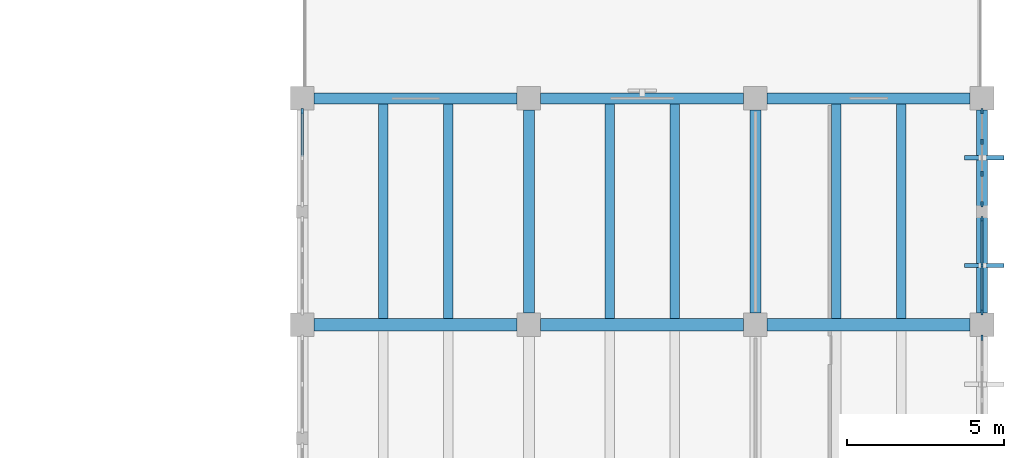
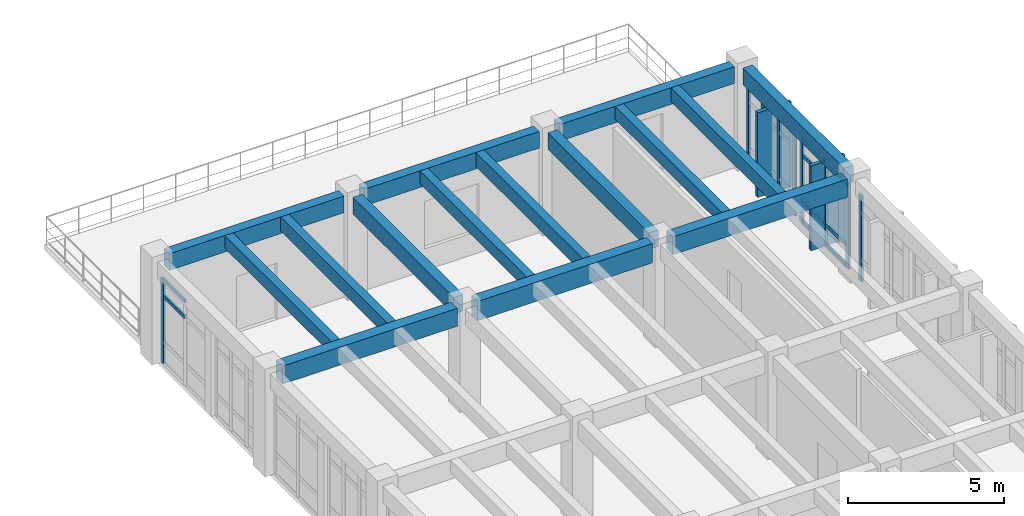
# One storey, part 64 of 136: 21 members, 15 beams, 4 elements without a shape of their own.
"""IFC4 building model written with IfcOpenShell, lengths in metres."""

from ifc_helpers import new_model, si_unit, direction, frame, origin, origin_2d, place, context, subcontext, project, spatial, rectangle, extrude, material, layer, layer_set, material_profile, profile_set, type_object, element, aggregate, save


model = new_model("IFC4")

# Units and contexts
model_context = context("Model", 3, precision=1e-05, world=origin(), true_north=direction((0.0, 1.0)))
body_context = subcontext(model_context, "Body", "Model", "MODEL_VIEW")
ifc_project = project(units=[si_unit("LENGTHUNIT", "METRE"), si_unit("AREAUNIT", "SQUARE_METRE"), si_unit("VOLUMEUNIT", "CUBIC_METRE"), si_unit("PLANEANGLEUNIT", "RADIAN"), si_unit("MASSUNIT", "GRAM", prefix="KILO")], contexts=[model_context])

# Site, building, storey
site_placement = place(None, origin())
site = spatial("IfcSite", under=ifc_project, at=site_placement, CompositionType="ELEMENT")
building_placement = place(site_placement, origin())
building = spatial("IfcBuilding", under=site, at=building_placement, Name="Koriwan Promenade Central Fire Station", CompositionType="ELEMENT")
storey_placement = place(building_placement, frame((0.0, 0.0, 5.39990234375)))
storey = spatial("IfcBuildingStorey", under=building, at=storey_placement, Name="L01", CompositionType="ELEMENT", Elevation=5.39990234375)

# Beams
ifc_material_1 = material(Name="Concrete C35/45", Category="concrete")
ifc_material_profile_1 = material_profile(ifc_material_1, rectangle(XDim=0.300048828125, YDim=0.5, at=origin_2d()), Name="RC-BM-300x500")
ifc_profile_set_1 = profile_set([ifc_material_profile_1], Name="Concrete C35/45")
beam_type_1 = type_object("IfcBeamType", Name="Beam_RC-BM-300x500", PredefinedType="JOIST", material=ifc_profile_set_1)
for number, where, z_axis, x_axis, name in (
    (1, (153.76806640625, 65.0, 3.710205078125), (0.0, 1.0, 0.0), (-1.0, 0.0, 0.0), "V5 L01 secondary joist 749"),
    (2, (160.968017578125, 65.0, 3.710205078125), (0.0, 1.0, 0.0), (-1.0, 0.0, 0.0), "V5 L01 secondary joist 751"),
    (3, (168.16796875, 65.0, 3.710205078125), (0.0, 1.0, 0.0), (-1.0, 0.0, 0.0), "V5 L01 secondary joist 753"),
):
    element("IfcBeam", number, at=place(storey_placement, frame(where, z_axis=z_axis, x_axis=x_axis)), inside=storey, type_object=beam_type_1, Name=name, PredefinedType="JOIST", context=body_context, shape_type="SweptSolid", body=[
        extrude(rectangle(XDim=0.300048828125, YDim=0.5, at=origin_2d()), origin(), (0.0, 0.0, 1.0), 6.824951171875),
    ])
ifc_material_profile_2 = material_profile(ifc_material_1, rectangle(XDim=0.300048828125, YDim=0.550048828125, at=origin_2d()), Name="RC-BM-300x550")
ifc_profile_set_2 = profile_set([ifc_material_profile_2], Name="Concrete C35/45")
beam_type_2 = type_object("IfcBeamType", Name="Beam_RC-BM-300x550", PredefinedType="JOIST", material=ifc_profile_set_2)
for number, where, z_axis, x_axis, name in (
    (4, (155.83203125, 65.0, 3.68505859375), (0.0, 1.0, 0.0), (-1.0, 0.0, 0.0), "V5 L01 secondary joist 750"),
    (5, (163.031982421875, 65.0, 3.68505859375), (0.0, 1.0, 0.0), (-1.0, 0.0, 0.0), "V5 L01 secondary joist 752"),
    (6, (170.23193359375, 65.0, 3.68505859375), (0.0, 1.0, 0.0), (-1.0, 0.0, 0.0), "V5 L01 secondary joist 754"),
):
    element("IfcBeam", number, at=place(storey_placement, frame(where, z_axis=z_axis, x_axis=x_axis)), inside=storey, type_object=beam_type_2, Name=name, PredefinedType="JOIST", context=body_context, shape_type="SweptSolid", body=[
        extrude(rectangle(XDim=0.300048828125, YDim=0.550048828125, at=origin_2d()), origin(), (0.0, 0.0, 1.0), 6.824951171875),
    ])
ifc_material_profile_3 = material_profile(ifc_material_1, rectangle(XDim=0.35009765625, YDim=0.64990234375, at=origin_2d()), Name="RC-BM-350x650")
ifc_profile_set_3 = profile_set([ifc_material_profile_3], Name="Concrete C35/45")
beam_type_3 = type_object("IfcBeamType", Name="Beam_RC-BM-350x650", PredefinedType="BEAM", material=ifc_profile_set_3)
for number, where, z_axis, x_axis, name in (
    (7, (158.39990234375, 65.175048828125, 3.635009765625), (0.0, 1.0, 0.0), (-1.0, 0.0, 0.0), "V5 L01 girder Y-679"),
    (8, (165.60009765625, 65.175048828125, 3.635009765625), (0.0, 1.0, 0.0), (-1.0, 0.0, 0.0), "V5 L01 girder Y-689"),
    (9, (172.800048828125, 65.175048828125, 3.635009765625), (0.0, 1.0, 0.0), (-1.0, 0.0, 0.0), "V5 L01 girder Y-699"),
):
    element("IfcBeam", number, at=place(storey_placement, frame(where, z_axis=z_axis, x_axis=x_axis)), inside=storey, type_object=beam_type_3, Name=name, PredefinedType="BEAM", context=body_context, shape_type="SweptSolid", body=[
        extrude(rectangle(XDim=0.35009765625, YDim=0.64990234375, at=origin_2d()), origin(), (0.0, 0.0, 1.0), 6.449951171875),
    ])
ifc_material_profile_4 = material_profile(ifc_material_1, rectangle(XDim=0.39990234375, YDim=0.699951171875, at=origin_2d()), Name="RC-BM-400x700")
ifc_profile_set_4 = profile_set([ifc_material_profile_4], Name="Concrete C35/45")
beam_type_4 = type_object("IfcBeamType", Name="Beam_RC-BM-400x700", PredefinedType="BEAM", material=ifc_profile_set_4)
for number, where, z_axis, x_axis, name in (
    (10, (151.574951171875, 64.800048828125, 3.610107421875), (1.0, 0.0, 0.0), (0.0, 1.0, 0.0), "V5 L01 girder X-652"),
    (11, (165.97509765625, 64.800048828125, 3.610107421875), (1.0, 0.0, 0.0), (0.0, 1.0, 0.0), "V5 L01 girder X-654"),
):
    element("IfcBeam", number, at=place(storey_placement, frame(where, z_axis=z_axis, x_axis=x_axis)), inside=storey, type_object=beam_type_4, Name=name, PredefinedType="BEAM", context=body_context, shape_type="SweptSolid", body=[
        extrude(rectangle(XDim=0.39990234375, YDim=0.699951171875, at=origin_2d()), origin(), (0.0, 0.0, 1.0), 6.449951171875),
    ])
ifc_material_profile_5 = material_profile(ifc_material_1, rectangle(XDim=0.39990234375, YDim=0.75, at=origin_2d()), Name="RC-BM-400x750")
ifc_profile_set_5 = profile_set([ifc_material_profile_5], Name="Concrete C35/45")
beam_type_5 = type_object("IfcBeamType", Name="Beam_RC-BM-400x750", PredefinedType="BEAM", material=ifc_profile_set_5)
beam_1_placement = place(storey_placement, frame((158.77490234375, 64.800048828125, 3.585205078125), z_axis=(1.0, 0.0, 0.0), x_axis=(0.0, 1.0, 0.0)))
element("IfcBeam", 12, at=beam_1_placement, inside=storey, type_object=beam_type_5, Name="V5 L01 girder X-653", PredefinedType="BEAM", context=body_context, shape_type="SweptSolid", body=[
    extrude(rectangle(XDim=0.39990234375, YDim=0.75, at=origin_2d()), origin(), (0.0, 0.0, 1.0), 6.4501953125),
])
ifc_material_profile_6 = material_profile(ifc_material_1, rectangle(XDim=0.35009765625, YDim=0.64990234375, at=origin_2d()), Name="RC-SP-350x650")
ifc_profile_set_6 = profile_set([ifc_material_profile_6], Name="Concrete C35/45")
beam_type_6 = type_object("IfcBeamType", Name="Beam_RC-SP-350x650", PredefinedType="SPANDREL", material=ifc_profile_set_6)
beam_2_placement = place(storey_placement, frame((151.574951171875, 72.0, 3.635009765625), z_axis=(1.0, 0.0, 0.0), x_axis=(0.0, 1.0, 0.0)))
element("IfcBeam", 13, at=beam_2_placement, inside=storey, type_object=beam_type_6, Name="V5 L01 girder X-655", PredefinedType="SPANDREL", context=body_context, shape_type="SweptSolid", body=[
    extrude(rectangle(XDim=0.35009765625, YDim=0.64990234375, at=origin_2d()), origin(), (0.0, 0.0, 1.0), 6.449951171875),
])
beam_3_placement = place(storey_placement, frame((158.77490234375, 72.0, 3.635009765625), z_axis=(1.0, 0.0, 0.0), x_axis=(0.0, 1.0, 0.0)))
element("IfcBeam", 14, at=beam_3_placement, inside=storey, type_object=beam_type_6, Name="V5 L01 girder X-656", PredefinedType="SPANDREL", context=body_context, shape_type="SweptSolid", body=[
    extrude(rectangle(XDim=0.35009765625, YDim=0.64990234375, at=origin_2d()), origin(), (0.0, 0.0, 1.0), 6.4501953125),
])
beam_4_placement = place(storey_placement, frame((165.97509765625, 72.0, 3.635009765625), z_axis=(1.0, 0.0, 0.0), x_axis=(0.0, 1.0, 0.0)))
element("IfcBeam", 15, at=beam_4_placement, inside=storey, type_object=beam_type_6, Name="V5 L01 girder X-657", PredefinedType="SPANDREL", context=body_context, shape_type="SweptSolid", body=[
    extrude(rectangle(XDim=0.35009765625, YDim=0.64990234375, at=origin_2d()), origin(), (0.0, 0.0, 1.0), 6.449951171875),
])

# Curtain wall, member
ifc_material_2 = material(Name="Aluminium EN AW-6063-T6 and low-E glazing", Category="aluminium")
ifc_layer_1 = layer(ifc_material_2, 0.159912109375, Name="Aluminium EN AW-6063-T6 and low-E glazing")
ifc_layer_set_1 = layer_set([ifc_layer_1], Name="Aluminium EN AW-6063-T6 and low-E glazing")
curtain_wall_type_1 = type_object("IfcCurtainWallType", Name="CurtainWall_72_303x330", PredefinedType="USERDEFINED", material=ifc_layer_set_1)
curtain_wall_1_placement = place(storey_placement, origin())
curtain_wall_1 = element("IfcCurtainWall", 16, at=curtain_wall_1_placement, inside=storey, type_object=curtain_wall_type_1, Name="V5 L01 unitised curtain wall 188", ObjectType="UNITISED CURTAIN WALL", PredefinedType="USERDEFINED")
ifc_material_3 = material(Name="Aluminium EN AW-6063-T6", Category="aluminium")
ifc_material_profile_7 = material_profile(ifc_material_3, rectangle(XDim=0.074951171875, YDim=0.179931640625, at=origin_2d()), Name="ALU-MUL-75x180")
ifc_profile_set_7 = profile_set([ifc_material_profile_7], Name="Aluminium EN AW-6063-T6")
member_type_1 = type_object("IfcMemberType", Name="CWMullion_ALU-MUL-75x180", PredefinedType="MULLION", material=ifc_profile_set_7)
member_1_placement = place(storey_placement, frame((151.199951171875, 71.58740234375, 0.0), z_axis=(0.0, 0.0, 1.0), x_axis=(-1.0, 0.0, 0.0)))
member_1 = element("IfcMember", 17, at=member_1_placement, type_object=member_type_1, Name="CW-72 mullion 3", PredefinedType="MULLION", context=body_context, shape_type="SweptSolid", body=[
    extrude(rectangle(XDim=0.074951171875, YDim=0.179931640625, at=origin_2d()), origin(), (0.0, 0.0, 1.0), 3.300048828125),
])

# Curtain wall, members
ifc_layer_2 = layer(ifc_material_2, 0.159912109375, Name="Aluminium EN AW-6063-T6 and low-E glazing")
ifc_layer_set_2 = layer_set([ifc_layer_2], Name="Aluminium EN AW-6063-T6 and low-E glazing")
curtain_wall_type_2 = type_object("IfcCurtainWallType", Name="CurtainWall_71_303x330", PredefinedType="USERDEFINED", material=ifc_layer_set_2)
curtain_wall_2_placement = place(storey_placement, origin())
curtain_wall_2 = element("IfcCurtainWall", 18, at=curtain_wall_2_placement, inside=storey, type_object=curtain_wall_type_2, Name="V5 L01 unitised curtain wall 189", ObjectType="UNITISED CURTAIN WALL", PredefinedType="USERDEFINED")
member_2_placement = place(storey_placement, frame((172.800048828125, 71.58740234375, 0.0), z_axis=(0.0, 0.0, 1.0), x_axis=(1.0, 0.0, 0.0)))
member_2 = element("IfcMember", 19, at=member_2_placement, type_object=member_type_1, Name="CW-71 mullion 1", PredefinedType="MULLION", context=body_context, shape_type="SweptSolid", body=[
    extrude(rectangle(XDim=0.074951171875, YDim=0.179931640625, at=origin_2d()), origin(), (0.0, 0.0, 1.0), 3.300048828125),
])
member_3_placement = place(storey_placement, frame((172.800048828125, 70.61669921875, 0.0), z_axis=(0.0, 0.0, 1.0), x_axis=(1.0, 0.0, 0.0)))
member_3 = element("IfcMember", 20, at=member_3_placement, type_object=member_type_1, Name="CW-71 mullion 2", PredefinedType="MULLION", context=body_context, shape_type="SweptSolid", body=[
    extrude(rectangle(XDim=0.074951171875, YDim=0.179931640625, at=origin_2d()), origin(), (0.0, 0.0, 1.0), 3.300048828125),
])
member_4_placement = place(storey_placement, frame((172.800048828125, 69.6083984375, 0.0), z_axis=(0.0, 0.0, 1.0), x_axis=(1.0, 0.0, 0.0)))
member_4 = element("IfcMember", 21, at=member_4_placement, type_object=member_type_1, Name="CW-71 mullion 3", PredefinedType="MULLION", context=body_context, shape_type="SweptSolid", body=[
    extrude(rectangle(XDim=0.074951171875, YDim=0.179931640625, at=origin_2d()), origin(), (0.0, 0.0, 1.0), 3.300048828125),
])
member_5_placement = place(storey_placement, frame((172.800048828125, 68.637451171875, 0.0), z_axis=(0.0, 0.0, 1.0), x_axis=(1.0, 0.0, 0.0)))
member_5 = element("IfcMember", 22, at=member_5_placement, type_object=member_type_1, Name="CW-71 mullion 4", PredefinedType="MULLION", context=body_context, shape_type="SweptSolid", body=[
    extrude(rectangle(XDim=0.074951171875, YDim=0.179931640625, at=origin_2d()), origin(), (0.0, 0.0, 1.0), 3.300048828125),
])
aggregate(curtain_wall_2, [member_2, member_3, member_4, member_5])

curtain_wall_3_placement = place(storey_placement, origin())
curtain_wall_3 = element("IfcCurtainWall", 23, at=curtain_wall_3_placement, inside=storey, type_object=curtain_wall_type_1, Name="V5 L01 unitised curtain wall 190", ObjectType="UNITISED CURTAIN WALL", PredefinedType="USERDEFINED")
member_6_placement = place(storey_placement, frame((172.800048828125, 68.16259765625, 0.0), z_axis=(0.0, 0.0, 1.0), x_axis=(1.0, 0.0, 0.0)))
member_6 = element("IfcMember", 24, at=member_6_placement, type_object=member_type_1, Name="CW-72 mullion 1", PredefinedType="MULLION", context=body_context, shape_type="SweptSolid", body=[
    extrude(rectangle(XDim=0.074951171875, YDim=0.179931640625, at=origin_2d()), origin(), (0.0, 0.0, 1.0), 3.300048828125),
])
member_7_placement = place(storey_placement, frame((172.800048828125, 66.6875, 0.0), z_axis=(0.0, 0.0, 1.0), x_axis=(1.0, 0.0, 0.0)))
member_7 = element("IfcMember", 25, at=member_7_placement, type_object=member_type_1, Name="CW-72 mullion 2", PredefinedType="MULLION", context=body_context, shape_type="SweptSolid", body=[
    extrude(rectangle(XDim=0.074951171875, YDim=0.179931640625, at=origin_2d()), origin(), (0.0, 0.0, 1.0), 3.300048828125),
])
member_8_placement = place(storey_placement, frame((172.800048828125, 65.21240234375, 0.0), z_axis=(0.0, 0.0, 1.0), x_axis=(1.0, 0.0, 0.0)))
member_8 = element("IfcMember", 26, at=member_8_placement, type_object=member_type_1, Name="CW-72 mullion 3", PredefinedType="MULLION", context=body_context, shape_type="SweptSolid", body=[
    extrude(rectangle(XDim=0.074951171875, YDim=0.179931640625, at=origin_2d()), origin(), (0.0, 0.0, 1.0), 3.300048828125),
])

# Curtain wall, member
ifc_layer_3 = layer(ifc_material_2, 0.159912109375, Name="Aluminium EN AW-6063-T6 and low-E glazing")
ifc_layer_set_3 = layer_set([ifc_layer_3], Name="Aluminium EN AW-6063-T6 and low-E glazing")
curtain_wall_type_3 = type_object("IfcCurtainWallType", Name="CurtainWall_69_302x335", PredefinedType="USERDEFINED", material=ifc_layer_set_3)
curtain_wall_4_placement = place(storey_placement, origin())
curtain_wall_4 = element("IfcCurtainWall", 27, at=curtain_wall_4_placement, inside=storey, type_object=curtain_wall_type_3, Name="V5 L01 unitised curtain wall 191", ObjectType="UNITISED CURTAIN WALL", PredefinedType="USERDEFINED")
member_9_placement = place(storey_placement, frame((172.800048828125, 64.387451171875, 0.0), z_axis=(0.0, 0.0, 1.0), x_axis=(1.0, 0.0, 0.0)))
member_9 = element("IfcMember", 28, at=member_9_placement, type_object=member_type_1, Name="CW-69 mullion 1", PredefinedType="MULLION", context=body_context, shape_type="SweptSolid", body=[
    extrude(rectangle(XDim=0.074951171875, YDim=0.179931640625, at=origin_2d()), origin(), (0.0, 0.0, 1.0), 3.35009765625),
])
aggregate(curtain_wall_4, [member_9])

# Member
ifc_material_profile_8 = material_profile(ifc_material_3, rectangle(XDim=0.074951171875, YDim=0.139892578125, at=origin_2d()), Name="ALU-TRN-75x140")
ifc_profile_set_8 = profile_set([ifc_material_profile_8], Name="Aluminium EN AW-6063-T6")
member_type_2 = type_object("IfcMemberType", Name="CWTransom_ALU-TRN-75x140", PredefinedType="USERDEFINED", material=ifc_profile_set_8)
member_10_placement = place(storey_placement, frame((151.199951171875, 70.14990234375, 2.650146484375), z_axis=(0.0, 1.0, 0.0), x_axis=(-1.0, 0.0, 0.0)))
member_10 = element("IfcMember", 29, at=member_10_placement, type_object=member_type_2, Name="CW-72 transom 2.3", ObjectType="TRANSOM", PredefinedType="USERDEFINED", context=body_context, shape_type="SweptSolid", body=[
    extrude(rectangle(XDim=0.074951171875, YDim=0.139892578125, at=origin_2d()), origin(), (0.0, 0.0, 1.0), 1.400146484375),
])

member_11_placement = place(storey_placement, frame((151.199951171875, 70.14990234375, 3.2626953125), z_axis=(0.0, 1.0, 0.0), x_axis=(-1.0, 0.0, 0.0)))
member_11 = element("IfcMember", 30, at=member_11_placement, type_object=member_type_2, Name="CW-72 transom 2.4", ObjectType="TRANSOM", PredefinedType="USERDEFINED", context=body_context, shape_type="SweptSolid", body=[
    extrude(rectangle(XDim=0.074951171875, YDim=0.139892578125, at=origin_2d()), origin(), (0.0, 0.0, 1.0), 1.400146484375),
])

aggregate(curtain_wall_1, [member_1, member_10, member_11])

member_12_placement = place(storey_placement, frame((172.800048828125, 68.125, 0.03759765625), z_axis=(0.0, -1.0, 0.0), x_axis=(1.0, 0.0, 0.0)))
member_12 = element("IfcMember", 31, at=member_12_placement, type_object=member_type_2, Name="CW-72 transom 1.1", ObjectType="TRANSOM", PredefinedType="USERDEFINED", context=body_context, shape_type="SweptSolid", body=[
    extrude(rectangle(XDim=0.074951171875, YDim=0.139892578125, at=origin_2d()), origin(), (0.0, 0.0, 1.0), 1.39990234375),
])

member_13_placement = place(storey_placement, frame((172.800048828125, 68.125, 0.85009765625), z_axis=(0.0, -1.0, 0.0), x_axis=(1.0, 0.0, 0.0)))
member_13 = element("IfcMember", 32, at=member_13_placement, type_object=member_type_2, Name="CW-72 transom 1.2", ObjectType="TRANSOM", PredefinedType="USERDEFINED", context=body_context, shape_type="SweptSolid", body=[
    extrude(rectangle(XDim=0.074951171875, YDim=0.139892578125, at=origin_2d()), origin(), (0.0, 0.0, 1.0), 1.39990234375),
])

member_14_placement = place(storey_placement, frame((172.800048828125, 68.125, 2.650146484375), z_axis=(0.0, -1.0, 0.0), x_axis=(1.0, 0.0, 0.0)))
member_14 = element("IfcMember", 33, at=member_14_placement, type_object=member_type_2, Name="CW-72 transom 1.3", ObjectType="TRANSOM", PredefinedType="USERDEFINED", context=body_context, shape_type="SweptSolid", body=[
    extrude(rectangle(XDim=0.074951171875, YDim=0.139892578125, at=origin_2d()), origin(), (0.0, 0.0, 1.0), 1.39990234375),
])

member_15_placement = place(storey_placement, frame((172.800048828125, 68.125, 3.2626953125), z_axis=(0.0, -1.0, 0.0), x_axis=(1.0, 0.0, 0.0)))
member_15 = element("IfcMember", 34, at=member_15_placement, type_object=member_type_2, Name="CW-72 transom 1.4", ObjectType="TRANSOM", PredefinedType="USERDEFINED", context=body_context, shape_type="SweptSolid", body=[
    extrude(rectangle(XDim=0.074951171875, YDim=0.139892578125, at=origin_2d()), origin(), (0.0, 0.0, 1.0), 1.39990234375),
])

member_16_placement = place(storey_placement, frame((172.800048828125, 66.64990234375, 0.03759765625), z_axis=(0.0, -1.0, 0.0), x_axis=(1.0, 0.0, 0.0)))
member_16 = element("IfcMember", 35, at=member_16_placement, type_object=member_type_2, Name="CW-72 transom 2.1", ObjectType="TRANSOM", PredefinedType="USERDEFINED", context=body_context, shape_type="SweptSolid", body=[
    extrude(rectangle(XDim=0.074951171875, YDim=0.139892578125, at=origin_2d()), origin(), (0.0, 0.0, 1.0), 1.39990234375),
])

member_17_placement = place(storey_placement, frame((172.800048828125, 66.64990234375, 0.85009765625), z_axis=(0.0, -1.0, 0.0), x_axis=(1.0, 0.0, 0.0)))
member_17 = element("IfcMember", 36, at=member_17_placement, type_object=member_type_2, Name="CW-72 transom 2.2", ObjectType="TRANSOM", PredefinedType="USERDEFINED", context=body_context, shape_type="SweptSolid", body=[
    extrude(rectangle(XDim=0.074951171875, YDim=0.139892578125, at=origin_2d()), origin(), (0.0, 0.0, 1.0), 1.39990234375),
])

member_18_placement = place(storey_placement, frame((172.800048828125, 66.64990234375, 2.650146484375), z_axis=(0.0, -1.0, 0.0), x_axis=(1.0, 0.0, 0.0)))
member_18 = element("IfcMember", 37, at=member_18_placement, type_object=member_type_2, Name="CW-72 transom 2.3", ObjectType="TRANSOM", PredefinedType="USERDEFINED", context=body_context, shape_type="SweptSolid", body=[
    extrude(rectangle(XDim=0.074951171875, YDim=0.139892578125, at=origin_2d()), origin(), (0.0, 0.0, 1.0), 1.39990234375),
])

member_19_placement = place(storey_placement, frame((172.800048828125, 66.64990234375, 3.2626953125), z_axis=(0.0, -1.0, 0.0), x_axis=(1.0, 0.0, 0.0)))
member_19 = element("IfcMember", 38, at=member_19_placement, type_object=member_type_2, Name="CW-72 transom 2.4", ObjectType="TRANSOM", PredefinedType="USERDEFINED", context=body_context, shape_type="SweptSolid", body=[
    extrude(rectangle(XDim=0.074951171875, YDim=0.139892578125, at=origin_2d()), origin(), (0.0, 0.0, 1.0), 1.39990234375),
])

aggregate(curtain_wall_3, [member_6, member_7, member_8, member_12, member_13, member_14, member_15, member_16, member_17, member_18, member_19])

# Members
ifc_material_4 = material(Name="Aluminium EN AW-6063-T6 terracotta finish", Category="masonry")
ifc_material_profile_9 = material_profile(ifc_material_4, rectangle(XDim=0.139892578125, YDim=1.25, at=origin_2d()), Name="FIN-TRC-140x1250")
ifc_profile_set_9 = profile_set([ifc_material_profile_9], Name="Aluminium EN AW-6063-T6 terracotta finish")
member_type_3 = type_object("IfcMemberType", Name="SolarFin_FIN-TRC-140x1250", PredefinedType="USERDEFINED", material=ifc_profile_set_9)
for number, where, z_axis, x_axis, name in (
    (39, (172.875, 70.112548828125, 0.0), (0.0, 0.0, 1.0), (0.0, -1.0, 0.0), "V5 L01 terracotta solar fin 039"),
    (40, (172.875, 66.6875, 0.0), (0.0, 0.0, 1.0), (0.0, -1.0, 0.0), "V5 L01 terracotta solar fin 040"),
):
    element("IfcMember", number, at=place(storey_placement, frame(where, z_axis=z_axis, x_axis=x_axis)), inside=storey, type_object=member_type_3, Name=name, ObjectType="SOLAR FIN", PredefinedType="USERDEFINED", context=body_context, shape_type="SweptSolid", body=[
        extrude(rectangle(XDim=0.139892578125, YDim=1.25, at=origin_2d()), origin(), (0.0, 0.0, 1.0), 3.300048828125),
    ])

save(model, "model.ifc")
